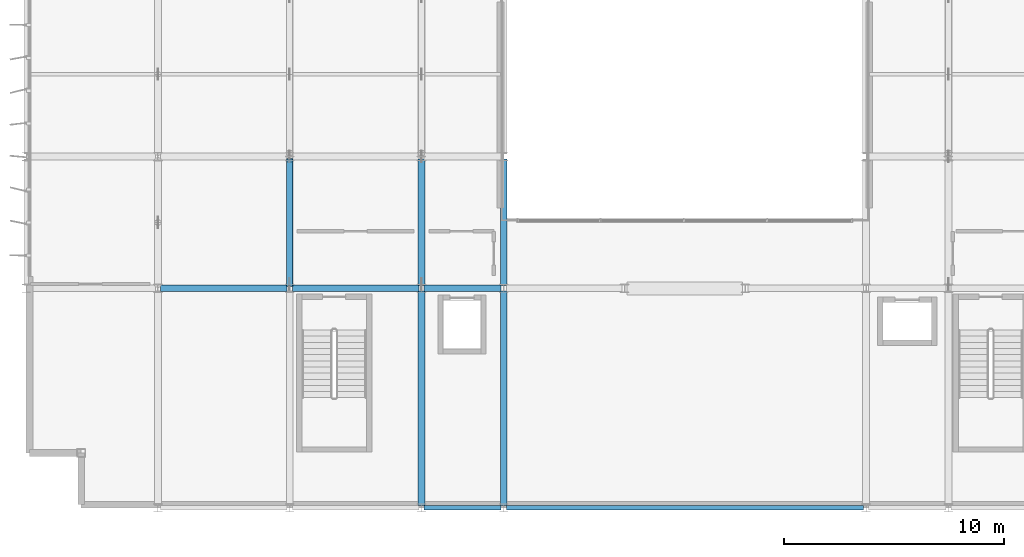
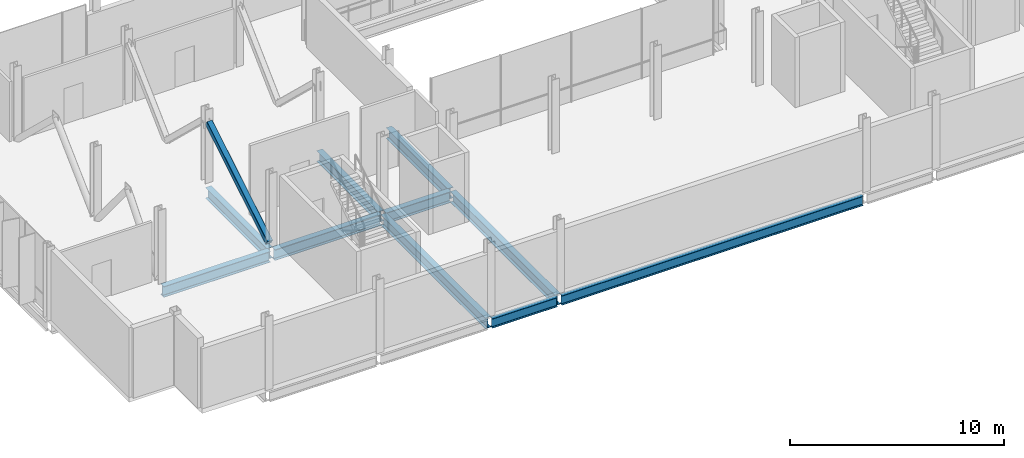
# One storey, part 4 of 33: 10 beams, 1 member.
"""IFC4 building model written with IfcOpenShell, lengths in metres."""

from ifc_helpers import new_model, si_unit, direction, frame, origin, origin_2d, place, context, subcontext, project, spatial, hollow_rectangle, i_section, extrude, material, material_profile, profile_set, type_object, element, save


model = new_model("IFC4")

# Units and contexts
model_context = context("Model", 3, precision=1e-05, world=origin(), true_north=direction((0.0, 1.0)))
body_context = subcontext(model_context, "Body", "Model", "MODEL_VIEW")
ifc_project = project(units=[si_unit("LENGTHUNIT", "METRE"), si_unit("AREAUNIT", "SQUARE_METRE"), si_unit("VOLUMEUNIT", "CUBIC_METRE"), si_unit("PLANEANGLEUNIT", "RADIAN"), si_unit("MASSUNIT", "GRAM", prefix="KILO")], contexts=[model_context])

# Site, building, storey
site_placement = place(None, origin())
site = spatial("IfcSite", under=ifc_project, at=site_placement, CompositionType="ELEMENT")
building_placement = place(site_placement, origin())
building = spatial("IfcBuilding", under=site, at=building_placement, Name="Brevholm Reach", CompositionType="ELEMENT")
storey_placement = place(building_placement, frame((0.0, 0.0, 179.0)))
storey = spatial("IfcBuildingStorey", under=building, at=storey_placement, Name="L54", CompositionType="ELEMENT", Elevation=179.0)

# Beams
ifc_material_1 = material(Name="Structural Steel S355J2", Category="steel")
ifc_material_profile_1 = material_profile(ifc_material_1, i_section(OverallWidth=0.210693359375, OverallDepth=0.53955078125, WebThickness=0.01171875, FlangeThickness=0.018798828125, FilletRadius=0.0126953125, at=origin_2d()), Name="UKB 533x210x109")
ifc_profile_set_1 = profile_set([ifc_material_profile_1], Name="Structural Steel S355J2")
beam_type_1 = type_object("IfcBeamType", Name="BM-SP539", PredefinedType="SPANDREL", material=ifc_profile_set_1)
beam_1_placement = place(storey_placement, frame((18.1201171875, 0.0, -0.52978515625), z_axis=(1.0, 0.0, 0.0), x_axis=(0.0, 1.0, 0.0)))
element("IfcBeam", 1, at=beam_1_placement, inside=storey, type_object=beam_type_1, Name="L54 SP-01B Framing Beam", PredefinedType="SPANDREL", context=body_context, shape_type="SweptSolid", body=[
    extrude(i_section(OverallWidth=0.210693359375, OverallDepth=0.53955078125, WebThickness=0.01171875, FlangeThickness=0.018798828125, FilletRadius=0.0126953125, at=origin_2d()), origin(), (0.0, 0.0, 1.0), 3.509765625),
])
beam_2_placement = place(storey_placement, frame((21.8701171875, 0.0, -0.52978515625), z_axis=(1.0, 0.0, 0.0), x_axis=(0.0, 1.0, 0.0)))
element("IfcBeam", 2, at=beam_2_placement, inside=storey, type_object=beam_type_1, Name="L54 SP-01B Framing Beam", PredefinedType="SPANDREL", context=body_context, shape_type="SweptSolid", body=[
    extrude(i_section(OverallWidth=0.210693359375, OverallDepth=0.53955078125, WebThickness=0.01171875, FlangeThickness=0.018798828125, FilletRadius=0.0126953125, at=origin_2d()), origin(), (0.0, 0.0, 1.0), 16.259765625),
])
ifc_material_2 = material(Name="Structural Steel S355J2", Category="steel")
ifc_material_profile_2 = material_profile(ifc_material_2, i_section(OverallWidth=0.30712890625, OverallDepth=0.6201171875, WebThickness=0.01416015625, FlangeThickness=0.023681640625, FilletRadius=0.0166015625, at=origin_2d()), Name="UKB 610x305x179")
ifc_profile_set_2 = profile_set([ifc_material_profile_2], Name="Structural Steel S355J2")
beam_type_2 = type_object("IfcBeamType", Name="BM-UKB610H", PredefinedType="USERDEFINED", material=ifc_profile_set_2)
for number, where, z_axis, x_axis, name in (
    (3, (6.1201171875, 10.0, -0.570068359375), (1.0, 0.0, 0.0), (0.0, 1.0, 0.0), "L54 G-06 Framing Beam"),
    (4, (12.1201171875, 10.0, -0.570068359375), (1.0, 0.0, 0.0), (0.0, 1.0, 0.0), "L54 G-06 Framing Beam"),
):
    element("IfcBeam", number, at=place(storey_placement, frame(where, z_axis=z_axis, x_axis=x_axis)), inside=storey, type_object=beam_type_2, Name=name, ObjectType="GIRDER", PredefinedType="USERDEFINED", context=body_context, shape_type="SweptSolid", body=[
        extrude(i_section(OverallWidth=0.30712890625, OverallDepth=0.6201171875, WebThickness=0.01416015625, FlangeThickness=0.023681640625, FilletRadius=0.0166015625, at=origin_2d()), origin(), (0.0, 0.0, 1.0), 5.759765625),
    ])
beam_3_placement = place(storey_placement, frame((18.1201171875, 10.0, -0.570068359375), z_axis=(1.0, 0.0, 0.0), x_axis=(0.0, 1.0, 0.0)))
element("IfcBeam", 5, at=beam_3_placement, inside=storey, type_object=beam_type_2, Name="L54 G-06 Framing Beam", ObjectType="GIRDER", PredefinedType="USERDEFINED", context=body_context, shape_type="SweptSolid", body=[
    extrude(i_section(OverallWidth=0.30712890625, OverallDepth=0.6201171875, WebThickness=0.01416015625, FlangeThickness=0.023681640625, FilletRadius=0.0166015625, at=origin_2d()), origin(), (0.0, 0.0, 1.0), 3.509765625),
])
beam_4_placement = place(storey_placement, frame((12.0, 10.1201171875, -0.570068359375), z_axis=(0.0, 1.0, 0.0), x_axis=(-1.0, 0.0, 0.0)))
element("IfcBeam", 6, at=beam_4_placement, inside=storey, type_object=beam_type_2, Name="L54 G-06 Framing Beam", ObjectType="GIRDER", PredefinedType="USERDEFINED", context=body_context, shape_type="SweptSolid", body=[
    extrude(i_section(OverallWidth=0.30712890625, OverallDepth=0.6201171875, WebThickness=0.01416015625, FlangeThickness=0.023681640625, FilletRadius=0.0166015625, at=origin_2d()), origin(), (0.0, 0.0, 1.0), 5.759765625),
])
beam_5_placement = place(storey_placement, frame((18.0, 0.1201171875, -0.570068359375), z_axis=(0.0, 1.0, 0.0), x_axis=(-1.0, 0.0, 0.0)))
element("IfcBeam", 7, at=beam_5_placement, inside=storey, type_object=beam_type_2, Name="L54 G-06 Framing Beam", ObjectType="GIRDER", PredefinedType="USERDEFINED", context=body_context, shape_type="SweptSolid", body=[
    extrude(i_section(OverallWidth=0.30712890625, OverallDepth=0.6201171875, WebThickness=0.01416015625, FlangeThickness=0.023681640625, FilletRadius=0.0166015625, at=origin_2d()), origin(), (0.0, 0.0, 1.0), 9.759765625),
])
beam_6_placement = place(storey_placement, frame((18.0, 10.1201171875, -0.570068359375), z_axis=(0.0, 1.0, 0.0), x_axis=(-1.0, 0.0, 0.0)))
element("IfcBeam", 8, at=beam_6_placement, inside=storey, type_object=beam_type_2, Name="L54 G-06 Framing Beam", ObjectType="GIRDER", PredefinedType="USERDEFINED", context=body_context, shape_type="SweptSolid", body=[
    extrude(i_section(OverallWidth=0.30712890625, OverallDepth=0.6201171875, WebThickness=0.01416015625, FlangeThickness=0.023681640625, FilletRadius=0.0166015625, at=origin_2d()), origin(), (0.0, 0.0, 1.0), 5.759765625),
])
beam_7_placement = place(storey_placement, frame((21.75, 0.1201171875, -0.570068359375), z_axis=(0.0, 1.0, 0.0), x_axis=(-1.0, 0.0, 0.0)))
element("IfcBeam", 9, at=beam_7_placement, inside=storey, type_object=beam_type_2, Name="L54 G-06 Framing Beam", ObjectType="GIRDER", PredefinedType="USERDEFINED", context=body_context, shape_type="SweptSolid", body=[
    extrude(i_section(OverallWidth=0.30712890625, OverallDepth=0.6201171875, WebThickness=0.01416015625, FlangeThickness=0.023681640625, FilletRadius=0.0166015625, at=origin_2d()), origin(), (0.0, 0.0, 1.0), 9.759765625),
])
beam_8_placement = place(storey_placement, frame((21.75, 10.1201171875, -0.570068359375), z_axis=(0.0, 1.0, 0.0), x_axis=(-1.0, 0.0, 0.0)))
element("IfcBeam", 10, at=beam_8_placement, inside=storey, type_object=beam_type_2, Name="L54 G-06 Framing Beam", ObjectType="GIRDER", PredefinedType="USERDEFINED", context=body_context, shape_type="SweptSolid", body=[
    extrude(i_section(OverallWidth=0.30712890625, OverallDepth=0.6201171875, WebThickness=0.01416015625, FlangeThickness=0.023681640625, FilletRadius=0.0166015625, at=origin_2d()), origin(), (0.0, 0.0, 1.0), 5.759765625),
])

# Member
ifc_material_3 = material(Name="Structural Steel S460NH", Category="steel")
ifc_material_profile_3 = material_profile(ifc_material_3, hollow_rectangle(XDim=0.300048828125, YDim=0.300048828125, WallThickness=0.012451171875, InnerFilletRadius=0.011962890625, OuterFilletRadius=0.02392578125, at=origin_2d()), Name="SHS 300x300x12.5")
ifc_profile_set_3 = profile_set([ifc_material_profile_3], Name="Structural Steel S460NH")
member_type = type_object("IfcMemberType", Name="MEM-OB-SHS300", PredefinedType="BRACE", material=ifc_profile_set_3)
member_placement = place(storey_placement, frame((12.0, 10.169921875, 0.02001953125), z_axis=(0.0, 0.856193294322, 0.516655632659), x_axis=(-1.0, 0.0, 0.0)))
element("IfcMember", 11, at=member_placement, inside=storey, type_object=member_type, Name="L54 Outrigger Truss Diagonal X12.1", PredefinedType="BRACE", context=body_context, shape_type="SweptSolid", body=[
    extrude(hollow_rectangle(XDim=0.300048828125, YDim=0.300048828125, WallThickness=0.012451171875, InnerFilletRadius=0.011962890625, OuterFilletRadius=0.02392578125, at=origin_2d()), origin(), (0.0, 0.0, 1.0), 6.61083984375),
])

save(model, "model.ifc")
